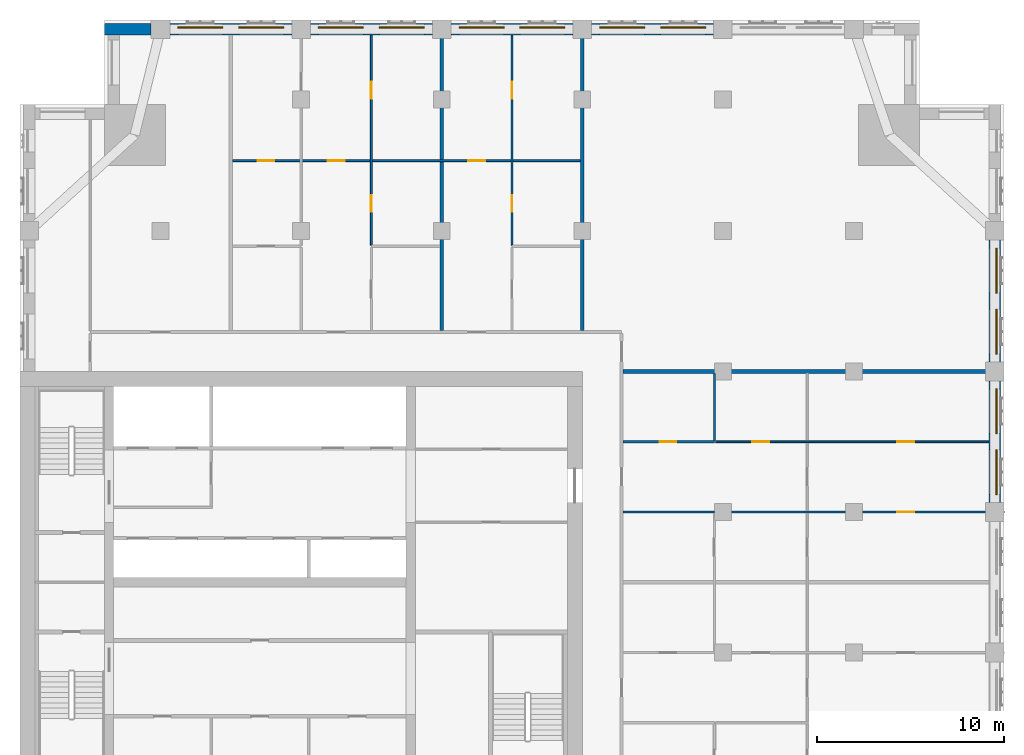
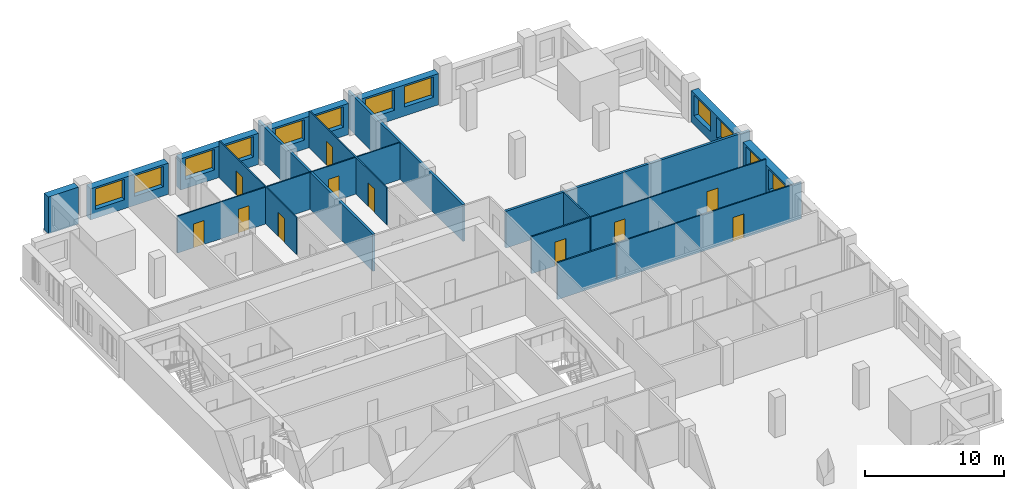
# One storey, part 11 of 14: 18 walls, 12 windows, 11 doors, 23 openings.
"""IFC4 building model written with IfcOpenShell, lengths in metres."""

from ifc_helpers import new_model, si_unit, direction, frame, frame_2d, origin, place, context, subcontext, project, spatial, rectangle, extrude, material, layer, layer_set, type_object, element, fill, save


model = new_model("IFC4")

# Units and contexts
model_context = context("Model", 3, precision=1e-05, world=origin(), true_north=direction((0.0, 1.0)))
body_context = subcontext(model_context, "Body", "Model", "MODEL_VIEW")
ifc_project = project(units=[si_unit("LENGTHUNIT", "METRE"), si_unit("AREAUNIT", "SQUARE_METRE"), si_unit("VOLUMEUNIT", "CUBIC_METRE"), si_unit("PLANEANGLEUNIT", "RADIAN"), si_unit("MASSUNIT", "GRAM", prefix="KILO")], contexts=[model_context])

# Site, building, storey
site_placement = place(None, origin())
site = spatial("IfcSite", under=ifc_project, at=site_placement, CompositionType="ELEMENT")
building_placement = place(site_placement, origin())
building = spatial("IfcBuilding", under=site, at=building_placement, Name="Tamorin Gate", CompositionType="ELEMENT")
storey_placement = place(building_placement, frame((0.0, 0.0, 179.199951171875)))
storey = spatial("IfcBuildingStorey", under=building, at=storey_placement, Name="L43", CompositionType="ELEMENT", Elevation=179.199951171875)

# Wall, openings, windows
ifc_material_1 = material(Name="Precast concrete C40/50", Category="concrete")
ifc_layer_1 = layer(ifc_material_1, 0.60009765625)
ifc_layer_set_1 = layer_set([ifc_layer_1], Name="Precast concrete C40/50")
wall_type_1 = type_object("IfcWallType", Name="Board-marked concrete facade panel 600", PredefinedType="SOLIDWALL", material=ifc_layer_set_1)
wall_1_placement = place(storey_placement, frame((82.0, 75.5, 0.0), z_axis=(0.0, 0.0, 1.0), x_axis=(0.0, 1.0, 0.0)))
wall_1 = element("IfcWall", 1, at=wall_1_placement, inside=storey, type_object=wall_type_1, Name="Facade panel", PredefinedType="SOLIDWALL", context=body_context, shape_type="SweptSolid", body=[
    extrude(rectangle(XDim=6.5, YDim=0.60009765625, at=frame_2d((3.25, 0.0))), origin(), (0.0, 0.0, 1.0), 2.75),
])
opening_1_placement = place(wall_1_placement, frame((0.425048828125, 0.0, 0.800048828125)))
opening_1 = element("IfcOpeningElement", 2, at=opening_1_placement, cuts=wall_1, Name="Opening WN1", PredefinedType="OPENING", context=body_context, shape_type="SweptSolid", body=[
    extrude(rectangle(XDim=2.39990234375, YDim=1.800048828125, at=frame_2d((1.199951171875, 0.89990234375))), frame((0.0, 0.31005859375, 0.0), z_axis=(0.0, -1.0, 0.0), x_axis=(1.0, 0.0, 0.0)), (0.0, 0.0, 1.0), 0.6201171875),
])
opening_2_placement = place(wall_1_placement, frame((3.675048828125, 0.0, 0.800048828125)))
opening_2 = element("IfcOpeningElement", 3, at=opening_2_placement, cuts=wall_1, Name="Opening WN1", PredefinedType="OPENING", context=body_context, shape_type="SweptSolid", body=[
    extrude(rectangle(XDim=2.39990234375, YDim=1.800048828125, at=frame_2d((1.199951171875, 0.89990234375))), frame((0.0, 0.31005859375, 0.0), z_axis=(0.0, -1.0, 0.0), x_axis=(1.0, 0.0, 0.0)), (0.0, 0.0, 1.0), 0.6201171875),
])
ifc_material_2 = material(Name="Clear glass in aluminium frame", Category="aluminium")
window_type = type_object("IfcWindowType", Name="Deep-set window 2400x1800", PartitioningType="SINGLE_PANEL", PredefinedType="WINDOW", material=ifc_material_2)
window_1_placement = place(opening_1_placement, origin())
window_1 = element("IfcWindow", 4, at=window_1_placement, inside=storey, type_object=window_type, Name="Deep-set window", OverallHeight=1.800048828125, OverallWidth=2.39990234375, PartitioningType="SINGLE_PANEL", PredefinedType="WINDOW", context=body_context, shape_type="SweptSolid", body=[
    extrude(rectangle(XDim=2.39990234375, YDim=1.800048828125, at=frame_2d((1.199951171875, 0.89990234375))), frame((0.0, -0.070068359375, 0.0), z_axis=(0.0, -1.0, 0.0), x_axis=(1.0, 0.0, 0.0)), (0.0, 0.0, 1.0), 0.06005859375),
])
fill(opening_1, window_1)
window_2_placement = place(opening_2_placement, origin())
window_2 = element("IfcWindow", 5, at=window_2_placement, inside=storey, type_object=window_type, Name="Deep-set window", OverallHeight=1.800048828125, OverallWidth=2.39990234375, PartitioningType="SINGLE_PANEL", PredefinedType="WINDOW", context=body_context, shape_type="SweptSolid", body=[
    extrude(rectangle(XDim=2.39990234375, YDim=1.800048828125, at=frame_2d((1.199951171875, 0.89990234375))), frame((0.0, -0.070068359375, 0.0), z_axis=(0.0, -1.0, 0.0), x_axis=(1.0, 0.0, 0.0)), (0.0, 0.0, 1.0), 0.06005859375),
])
fill(opening_2, window_2)

wall_2_placement = place(storey_placement, frame((82.0, 83.0, 0.0), z_axis=(0.0, 0.0, 1.0), x_axis=(0.0, 1.0, 0.0)))
wall_2 = element("IfcWall", 6, at=wall_2_placement, inside=storey, type_object=wall_type_1, Name="Facade panel", PredefinedType="SOLIDWALL", context=body_context, shape_type="SweptSolid", body=[
    extrude(rectangle(XDim=6.5, YDim=0.60009765625, at=frame_2d((3.25, 0.0))), origin(), (0.0, 0.0, 1.0), 2.75),
])
opening_3_placement = place(wall_2_placement, frame((0.425048828125, 0.0, 0.800048828125)))
opening_3 = element("IfcOpeningElement", 7, at=opening_3_placement, cuts=wall_2, Name="Opening WN1", PredefinedType="OPENING", context=body_context, shape_type="SweptSolid", body=[
    extrude(rectangle(XDim=2.39990234375, YDim=1.800048828125, at=frame_2d((1.199951171875, 0.89990234375))), frame((0.0, 0.31005859375, 0.0), z_axis=(0.0, -1.0, 0.0), x_axis=(1.0, 0.0, 0.0)), (0.0, 0.0, 1.0), 0.6201171875),
])
opening_4_placement = place(wall_2_placement, frame((3.675048828125, 0.0, 0.800048828125)))
opening_4 = element("IfcOpeningElement", 8, at=opening_4_placement, cuts=wall_2, Name="Opening WN1", PredefinedType="OPENING", context=body_context, shape_type="SweptSolid", body=[
    extrude(rectangle(XDim=2.39990234375, YDim=1.800048828125, at=frame_2d((1.199951171875, 0.89990234375))), frame((0.0, 0.31005859375, 0.0), z_axis=(0.0, -1.0, 0.0), x_axis=(1.0, 0.0, 0.0)), (0.0, 0.0, 1.0), 0.6201171875),
])
window_3_placement = place(opening_3_placement, origin())
window_3 = element("IfcWindow", 9, at=window_3_placement, inside=storey, type_object=window_type, Name="Deep-set window", OverallHeight=1.800048828125, OverallWidth=2.39990234375, PartitioningType="SINGLE_PANEL", PredefinedType="WINDOW", context=body_context, shape_type="SweptSolid", body=[
    extrude(rectangle(XDim=2.39990234375, YDim=1.800048828125, at=frame_2d((1.199951171875, 0.89990234375))), frame((0.0, -0.070068359375, 0.0), z_axis=(0.0, -1.0, 0.0), x_axis=(1.0, 0.0, 0.0)), (0.0, 0.0, 1.0), 0.06005859375),
])
fill(opening_3, window_3)
window_4_placement = place(opening_4_placement, origin())
window_4 = element("IfcWindow", 10, at=window_4_placement, inside=storey, type_object=window_type, Name="Deep-set window", OverallHeight=1.800048828125, OverallWidth=2.39990234375, PartitioningType="SINGLE_PANEL", PredefinedType="WINDOW", context=body_context, shape_type="SweptSolid", body=[
    extrude(rectangle(XDim=2.39990234375, YDim=1.800048828125, at=frame_2d((1.199951171875, 0.89990234375))), frame((0.0, -0.070068359375, 0.0), z_axis=(0.0, -1.0, 0.0), x_axis=(1.0, 0.0, 0.0)), (0.0, 0.0, 1.0), 0.06005859375),
])
fill(opening_4, window_4)

wall_3_placement = place(storey_placement, frame((67.0, 100.75, 0.0), z_axis=(0.0, 0.0, 1.0), x_axis=(-1.0, 0.0, 0.0)))
wall_3 = element("IfcWall", 11, at=wall_3_placement, inside=storey, type_object=wall_type_1, Name="Facade panel", PredefinedType="SOLIDWALL", context=body_context, shape_type="SweptSolid", body=[
    extrude(rectangle(XDim=6.5, YDim=0.60009765625, at=frame_2d((3.25, 0.0))), origin(), (0.0, 0.0, 1.0), 2.75),
])
opening_5_placement = place(wall_3_placement, frame((3.675048828125, 0.0, 0.800048828125)))
opening_5 = element("IfcOpeningElement", 12, at=opening_5_placement, cuts=wall_3, Name="Opening WN1", PredefinedType="OPENING", context=body_context, shape_type="SweptSolid", body=[
    extrude(rectangle(XDim=2.39990234375, YDim=1.800048828125, at=frame_2d((1.199951171875, 0.89990234375))), frame((0.0, 0.31005859375, 0.0), z_axis=(0.0, -1.0, 0.0), x_axis=(1.0, 0.0, 0.0)), (0.0, 0.0, 1.0), 0.6201171875),
])
opening_6_placement = place(wall_3_placement, frame((0.425048828125, 0.0, 0.800048828125)))
opening_6 = element("IfcOpeningElement", 13, at=opening_6_placement, cuts=wall_3, Name="Opening WN1", PredefinedType="OPENING", context=body_context, shape_type="SweptSolid", body=[
    extrude(rectangle(XDim=2.39990234375, YDim=1.800048828125, at=frame_2d((1.199951171875, 0.89990234375))), frame((0.0, 0.31005859375, 0.0), z_axis=(0.0, -1.0, 0.0), x_axis=(1.0, 0.0, 0.0)), (0.0, 0.0, 1.0), 0.6201171875),
])
window_5_placement = place(opening_5_placement, origin())
window_5 = element("IfcWindow", 14, at=window_5_placement, inside=storey, type_object=window_type, Name="Deep-set window", OverallHeight=1.800048828125, OverallWidth=2.39990234375, PartitioningType="SINGLE_PANEL", PredefinedType="WINDOW", context=body_context, shape_type="SweptSolid", body=[
    extrude(rectangle(XDim=2.39990234375, YDim=1.800048828125, at=frame_2d((1.199951171875, 0.89990234375))), frame((0.0, -0.070068359375, 0.0), z_axis=(0.0, -1.0, 0.0), x_axis=(1.0, 0.0, 0.0)), (0.0, 0.0, 1.0), 0.06005859375),
])
fill(opening_5, window_5)
window_6_placement = place(opening_6_placement, origin())
window_6 = element("IfcWindow", 15, at=window_6_placement, inside=storey, type_object=window_type, Name="Deep-set window", OverallHeight=1.800048828125, OverallWidth=2.39990234375, PartitioningType="SINGLE_PANEL", PredefinedType="WINDOW", context=body_context, shape_type="SweptSolid", body=[
    extrude(rectangle(XDim=2.39990234375, YDim=1.800048828125, at=frame_2d((1.199951171875, 0.89990234375))), frame((0.0, -0.070068359375, 0.0), z_axis=(0.0, -1.0, 0.0), x_axis=(1.0, 0.0, 0.0)), (0.0, 0.0, 1.0), 0.06005859375),
])
fill(opening_6, window_6)

wall_4_placement = place(storey_placement, frame((59.5, 100.75, 0.0), z_axis=(0.0, 0.0, 1.0), x_axis=(-1.0, 0.0, 0.0)))
wall_4 = element("IfcWall", 16, at=wall_4_placement, inside=storey, type_object=wall_type_1, Name="Facade panel", PredefinedType="SOLIDWALL", context=body_context, shape_type="SweptSolid", body=[
    extrude(rectangle(XDim=6.5, YDim=0.60009765625, at=frame_2d((3.25, 0.0))), origin(), (0.0, 0.0, 1.0), 2.75),
])
opening_7_placement = place(wall_4_placement, frame((3.675048828125, 0.0, 0.800048828125)))
opening_7 = element("IfcOpeningElement", 17, at=opening_7_placement, cuts=wall_4, Name="Opening WN1", PredefinedType="OPENING", context=body_context, shape_type="SweptSolid", body=[
    extrude(rectangle(XDim=2.39990234375, YDim=1.800048828125, at=frame_2d((1.199951171875, 0.89990234375))), frame((0.0, 0.31005859375, 0.0), z_axis=(0.0, -1.0, 0.0), x_axis=(1.0, 0.0, 0.0)), (0.0, 0.0, 1.0), 0.6201171875),
])
opening_8_placement = place(wall_4_placement, frame((0.425048828125, 0.0, 0.800048828125)))
opening_8 = element("IfcOpeningElement", 18, at=opening_8_placement, cuts=wall_4, Name="Opening WN1", PredefinedType="OPENING", context=body_context, shape_type="SweptSolid", body=[
    extrude(rectangle(XDim=2.39990234375, YDim=1.800048828125, at=frame_2d((1.199951171875, 0.89990234375))), frame((0.0, 0.31005859375, 0.0), z_axis=(0.0, -1.0, 0.0), x_axis=(1.0, 0.0, 0.0)), (0.0, 0.0, 1.0), 0.6201171875),
])
window_7_placement = place(opening_7_placement, origin())
window_7 = element("IfcWindow", 19, at=window_7_placement, inside=storey, type_object=window_type, Name="Deep-set window", OverallHeight=1.800048828125, OverallWidth=2.39990234375, PartitioningType="SINGLE_PANEL", PredefinedType="WINDOW", context=body_context, shape_type="SweptSolid", body=[
    extrude(rectangle(XDim=2.39990234375, YDim=1.800048828125, at=frame_2d((1.199951171875, 0.89990234375))), frame((0.0, -0.070068359375, 0.0), z_axis=(0.0, -1.0, 0.0), x_axis=(1.0, 0.0, 0.0)), (0.0, 0.0, 1.0), 0.06005859375),
])
fill(opening_7, window_7)
window_8_placement = place(opening_8_placement, origin())
window_8 = element("IfcWindow", 20, at=window_8_placement, inside=storey, type_object=window_type, Name="Deep-set window", OverallHeight=1.800048828125, OverallWidth=2.39990234375, PartitioningType="SINGLE_PANEL", PredefinedType="WINDOW", context=body_context, shape_type="SweptSolid", body=[
    extrude(rectangle(XDim=2.39990234375, YDim=1.800048828125, at=frame_2d((1.199951171875, 0.89990234375))), frame((0.0, -0.070068359375, 0.0), z_axis=(0.0, -1.0, 0.0), x_axis=(1.0, 0.0, 0.0)), (0.0, 0.0, 1.0), 0.06005859375),
])
fill(opening_8, window_8)

wall_5_placement = place(storey_placement, frame((52.0, 100.75, 0.0), z_axis=(0.0, 0.0, 1.0), x_axis=(-1.0, 0.0, 0.0)))
wall_5 = element("IfcWall", 21, at=wall_5_placement, inside=storey, type_object=wall_type_1, Name="Facade panel", PredefinedType="SOLIDWALL", context=body_context, shape_type="SweptSolid", body=[
    extrude(rectangle(XDim=6.5, YDim=0.60009765625, at=frame_2d((3.25, 0.0))), origin(), (0.0, 0.0, 1.0), 2.75),
])
opening_9_placement = place(wall_5_placement, frame((3.675048828125, 0.0, 0.800048828125)))
opening_9 = element("IfcOpeningElement", 22, at=opening_9_placement, cuts=wall_5, Name="Opening WN1", PredefinedType="OPENING", context=body_context, shape_type="SweptSolid", body=[
    extrude(rectangle(XDim=2.39990234375, YDim=1.800048828125, at=frame_2d((1.199951171875, 0.89990234375))), frame((0.0, 0.31005859375, 0.0), z_axis=(0.0, -1.0, 0.0), x_axis=(1.0, 0.0, 0.0)), (0.0, 0.0, 1.0), 0.6201171875),
])
opening_10_placement = place(wall_5_placement, frame((0.425048828125, 0.0, 0.800048828125)))
opening_10 = element("IfcOpeningElement", 23, at=opening_10_placement, cuts=wall_5, Name="Opening WN1", PredefinedType="OPENING", context=body_context, shape_type="SweptSolid", body=[
    extrude(rectangle(XDim=2.39990234375, YDim=1.800048828125, at=frame_2d((1.199951171875, 0.89990234375))), frame((0.0, 0.31005859375, 0.0), z_axis=(0.0, -1.0, 0.0), x_axis=(1.0, 0.0, 0.0)), (0.0, 0.0, 1.0), 0.6201171875),
])
window_9_placement = place(opening_9_placement, origin())
window_9 = element("IfcWindow", 24, at=window_9_placement, inside=storey, type_object=window_type, Name="Deep-set window", OverallHeight=1.800048828125, OverallWidth=2.39990234375, PartitioningType="SINGLE_PANEL", PredefinedType="WINDOW", context=body_context, shape_type="SweptSolid", body=[
    extrude(rectangle(XDim=2.39990234375, YDim=1.800048828125, at=frame_2d((1.199951171875, 0.89990234375))), frame((0.0, -0.070068359375, 0.0), z_axis=(0.0, -1.0, 0.0), x_axis=(1.0, 0.0, 0.0)), (0.0, 0.0, 1.0), 0.06005859375),
])
fill(opening_9, window_9)
window_10_placement = place(opening_10_placement, origin())
window_10 = element("IfcWindow", 25, at=window_10_placement, inside=storey, type_object=window_type, Name="Deep-set window", OverallHeight=1.800048828125, OverallWidth=2.39990234375, PartitioningType="SINGLE_PANEL", PredefinedType="WINDOW", context=body_context, shape_type="SweptSolid", body=[
    extrude(rectangle(XDim=2.39990234375, YDim=1.800048828125, at=frame_2d((1.199951171875, 0.89990234375))), frame((0.0, -0.070068359375, 0.0), z_axis=(0.0, -1.0, 0.0), x_axis=(1.0, 0.0, 0.0)), (0.0, 0.0, 1.0), 0.06005859375),
])
fill(opening_10, window_10)

wall_6_placement = place(storey_placement, frame((44.5, 100.75, 0.0), z_axis=(0.0, 0.0, 1.0), x_axis=(-1.0, 0.0, 0.0)))
wall_6 = element("IfcWall", 26, at=wall_6_placement, inside=storey, type_object=wall_type_1, Name="Facade panel", PredefinedType="SOLIDWALL", context=body_context, shape_type="SweptSolid", body=[
    extrude(rectangle(XDim=6.5, YDim=0.60009765625, at=frame_2d((3.25, 0.0))), origin(), (0.0, 0.0, 1.0), 2.75),
])
opening_11_placement = place(wall_6_placement, frame((3.675048828125, 0.0, 0.800048828125)))
opening_11 = element("IfcOpeningElement", 27, at=opening_11_placement, cuts=wall_6, Name="Opening WN1", PredefinedType="OPENING", context=body_context, shape_type="SweptSolid", body=[
    extrude(rectangle(XDim=2.39990234375, YDim=1.800048828125, at=frame_2d((1.199951171875, 0.89990234375))), frame((0.0, 0.31005859375, 0.0), z_axis=(0.0, -1.0, 0.0), x_axis=(1.0, 0.0, 0.0)), (0.0, 0.0, 1.0), 0.6201171875),
])
opening_12_placement = place(wall_6_placement, frame((0.425048828125, 0.0, 0.800048828125)))
opening_12 = element("IfcOpeningElement", 28, at=opening_12_placement, cuts=wall_6, Name="Opening WN1", PredefinedType="OPENING", context=body_context, shape_type="SweptSolid", body=[
    extrude(rectangle(XDim=2.39990234375, YDim=1.800048828125, at=frame_2d((1.199951171875, 0.89990234375))), frame((0.0, 0.31005859375, 0.0), z_axis=(0.0, -1.0, 0.0), x_axis=(1.0, 0.0, 0.0)), (0.0, 0.0, 1.0), 0.6201171875),
])
window_11_placement = place(opening_11_placement, origin())
window_11 = element("IfcWindow", 29, at=window_11_placement, inside=storey, type_object=window_type, Name="Deep-set window", OverallHeight=1.800048828125, OverallWidth=2.39990234375, PartitioningType="SINGLE_PANEL", PredefinedType="WINDOW", context=body_context, shape_type="SweptSolid", body=[
    extrude(rectangle(XDim=2.39990234375, YDim=1.800048828125, at=frame_2d((1.199951171875, 0.89990234375))), frame((0.0, -0.070068359375, 0.0), z_axis=(0.0, -1.0, 0.0), x_axis=(1.0, 0.0, 0.0)), (0.0, 0.0, 1.0), 0.06005859375),
])
fill(opening_11, window_11)
window_12_placement = place(opening_12_placement, origin())
window_12 = element("IfcWindow", 30, at=window_12_placement, inside=storey, type_object=window_type, Name="Deep-set window", OverallHeight=1.800048828125, OverallWidth=2.39990234375, PartitioningType="SINGLE_PANEL", PredefinedType="WINDOW", context=body_context, shape_type="SweptSolid", body=[
    extrude(rectangle(XDim=2.39990234375, YDim=1.800048828125, at=frame_2d((1.199951171875, 0.89990234375))), frame((0.0, -0.070068359375, 0.0), z_axis=(0.0, -1.0, 0.0), x_axis=(1.0, 0.0, 0.0)), (0.0, 0.0, 1.0), 0.06005859375),
])
fill(opening_12, window_12)

# Walls
wall_7_placement = place(storey_placement, frame((37.0, 100.75, 0.0), z_axis=(0.0, 0.0, 1.0), x_axis=(-1.0, 0.0, 0.0)))
element("IfcWall", 31, at=wall_7_placement, inside=storey, type_object=wall_type_1, Name="Facade panel", PredefinedType="SOLIDWALL", context=body_context, shape_type="SweptSolid", body=[
    extrude(rectangle(XDim=2.5, YDim=0.60009765625, at=frame_2d((1.25, 0.0))), origin(), (0.0, 0.0, 1.0), 3.25),
])
ifc_material_3 = material(Name="Gypsum board partition")
ifc_layer_2 = layer(ifc_material_3, 0.199951171875)
ifc_layer_set_2 = layer_set([ifc_layer_2], Name="Demising wall 200")
wall_type_2 = type_object("IfcWallType", Name="Demising wall 200", PredefinedType="PARTITIONING", material=ifc_layer_set_2)
wall_8_placement = place(storey_placement, frame((62.175048828125, 82.5, 0.0), z_axis=(0.0, 0.0, 1.0), x_axis=(1.0, 0.0, 0.0)))
element("IfcWall", 32, at=wall_8_placement, inside=storey, type_object=wall_type_2, Name="Demising wall 200", PredefinedType="PARTITIONING", context=body_context, shape_type="SweptSolid", body=[
    extrude(rectangle(XDim=20.324951171875, YDim=0.199951171875, at=frame_2d((10.16259765625, 0.0))), origin(), (0.0, 0.0, 1.0), 3.25),
])
for number, where, z_axis, x_axis, name in (
    (33, (52.5, 84.675048828125, 0.0), (0.0, 0.0, 1.0), (0.0, 1.0, 0.0), "Demising wall 200"),
    (34, (60.0, 84.675048828125, 0.0), (0.0, 0.0, 1.0), (0.0, 1.0, 0.0), "Demising wall 200"),
):
    element("IfcWall", number, at=place(storey_placement, frame(where, z_axis=z_axis, x_axis=x_axis)), inside=storey, type_object=wall_type_2, Name=name, PredefinedType="PARTITIONING", context=body_context, shape_type="SweptSolid", body=[
        extrude(rectangle(XDim=16.574951171875, YDim=0.199951171875, at=frame_2d((8.28759765625, 0.0))), origin(), (0.0, 0.0, 1.0), 3.25),
    ])

# Wall, opening, door
ifc_layer_3 = layer(ifc_material_3, 0.10009765625)
ifc_layer_set_3 = layer_set([ifc_layer_3], Name="Room partition 100")
wall_type_3 = type_object("IfcWallType", Name="Room partition 100", PredefinedType="PARTITIONING", material=ifc_layer_set_3)
wall_9_placement = place(storey_placement, frame((67.112548828125, 75.0, 0.0), z_axis=(0.0, 0.0, 1.0), x_axis=(1.0, 0.0, 0.0)))
wall_9 = element("IfcWall", 35, at=wall_9_placement, inside=storey, type_object=wall_type_3, Name="Room partition 100", PredefinedType="PARTITIONING", context=body_context, shape_type="SweptSolid", body=[
    extrude(rectangle(XDim=15.387451171875, YDim=0.10009765625, at=frame_2d((7.69384765625, 0.0))), origin(), (0.0, 0.0, 1.0), 3.25),
])
opening_13_placement = place(wall_9_placement, frame((9.6875, 0.0, 0.0)))
opening_13 = element("IfcOpeningElement", 36, at=opening_13_placement, cuts=wall_9, Name="Opening DR1051", PredefinedType="OPENING", context=body_context, shape_type="SweptSolid", body=[
    extrude(rectangle(XDim=0.89990234375, YDim=2.10009765625, at=frame_2d((0.449951171875, 1.050048828125))), frame((0.0, 0.06005859375, 0.0), z_axis=(0.0, -1.0, 0.0), x_axis=(1.0, 0.0, 0.0)), (0.0, 0.0, 1.0), 0.1201171875),
])
ifc_material_4 = material(Name="Timber door leaf", Category="wood")
door_type = type_object("IfcDoorType", Name="Door 900 x 2100", OperationType="NOTDEFINED", PredefinedType="DOOR", material=ifc_material_4)
door_1_placement = place(opening_13_placement, origin())
door_1 = element("IfcDoor", 37, at=door_1_placement, inside=storey, type_object=door_type, Name="Door DR1051", OperationType="SINGLE_SWING_RIGHT", OverallHeight=2.10009765625, OverallWidth=0.89990234375, PredefinedType="DOOR", context=body_context, shape_type="SweptSolid", body=[
    extrude(rectangle(XDim=0.89990234375, YDim=2.10009765625, at=frame_2d((0.449951171875, 1.050048828125))), frame((0.0, 0.02490234375, 0.0), z_axis=(0.0, -1.0, 0.0), x_axis=(1.0, 0.0, 0.0)), (0.0, 0.0, 1.0), 0.050048828125),
])
fill(opening_13, door_1)

# Wall, openings, doors
wall_10_placement = place(storey_placement, frame((67.112548828125, 78.75, 0.0), z_axis=(0.0, 0.0, 1.0), x_axis=(1.0, 0.0, 0.0)))
wall_10 = element("IfcWall", 38, at=wall_10_placement, inside=storey, type_object=wall_type_3, Name="Room partition 100", PredefinedType="PARTITIONING", context=body_context, shape_type="SweptSolid", body=[
    extrude(rectangle(XDim=14.577392578125, YDim=0.10009765625, at=frame_2d((7.28857421875, 0.0))), origin(), (0.0, 0.0, 1.0), 3.25),
])
opening_14_placement = place(wall_10_placement, frame((1.96240234375, 0.0, 0.0)))
opening_14 = element("IfcOpeningElement", 39, at=opening_14_placement, cuts=wall_10, Name="Opening DR1049", PredefinedType="OPENING", context=body_context, shape_type="SweptSolid", body=[
    extrude(rectangle(XDim=0.89990234375, YDim=2.10009765625, at=frame_2d((0.449951171875, 1.050048828125))), frame((0.0, 0.06005859375, 0.0), z_axis=(0.0, -1.0, 0.0), x_axis=(1.0, 0.0, 0.0)), (0.0, 0.0, 1.0), 0.1201171875),
])
opening_15_placement = place(wall_10_placement, frame((9.6875, 0.0, 0.0)))
opening_15 = element("IfcOpeningElement", 40, at=opening_15_placement, cuts=wall_10, Name="Opening DR1052", PredefinedType="OPENING", context=body_context, shape_type="SweptSolid", body=[
    extrude(rectangle(XDim=0.89990234375, YDim=2.10009765625, at=frame_2d((0.449951171875, 1.050048828125))), frame((0.0, 0.06005859375, 0.0), z_axis=(0.0, -1.0, 0.0), x_axis=(1.0, 0.0, 0.0)), (0.0, 0.0, 1.0), 0.1201171875),
])
door_2_placement = place(opening_14_placement, origin())
door_2 = element("IfcDoor", 41, at=door_2_placement, inside=storey, type_object=door_type, Name="Door DR1049", OperationType="SINGLE_SWING_LEFT", OverallHeight=2.10009765625, OverallWidth=0.89990234375, PredefinedType="DOOR", context=body_context, shape_type="SweptSolid", body=[
    extrude(rectangle(XDim=0.89990234375, YDim=2.10009765625, at=frame_2d((0.449951171875, 1.050048828125))), frame((0.0, 0.02490234375, 0.0), z_axis=(0.0, -1.0, 0.0), x_axis=(1.0, 0.0, 0.0)), (0.0, 0.0, 1.0), 0.050048828125),
])
fill(opening_14, door_2)
door_3_placement = place(opening_15_placement, origin())
door_3 = element("IfcDoor", 42, at=door_3_placement, inside=storey, type_object=door_type, Name="Door DR1052", OperationType="SINGLE_SWING_RIGHT", OverallHeight=2.10009765625, OverallWidth=0.89990234375, PredefinedType="DOOR", context=body_context, shape_type="SweptSolid", body=[
    extrude(rectangle(XDim=0.89990234375, YDim=2.10009765625, at=frame_2d((0.449951171875, 1.050048828125))), frame((0.0, 0.02490234375, 0.0), z_axis=(0.0, -1.0, 0.0), x_axis=(1.0, 0.0, 0.0)), (0.0, 0.0, 1.0), 0.050048828125),
])
fill(opening_15, door_3)

wall_11_placement = place(storey_placement, frame((41.35009765625, 93.75, 0.0), z_axis=(0.0, 0.0, 1.0), x_axis=(1.0, 0.0, 0.0)))
wall_11 = element("IfcWall", 43, at=wall_11_placement, inside=storey, type_object=wall_type_3, Name="Room partition 100", PredefinedType="PARTITIONING", context=body_context, shape_type="SweptSolid", body=[
    extrude(rectangle(XDim=18.5498046875, YDim=0.10009765625, at=frame_2d((9.27490234375, 0.0))), origin(), (0.0, 0.0, 1.0), 3.25),
])
opening_16_placement = place(wall_11_placement, frame((1.324951171875, 0.0, 0.0)))
opening_16 = element("IfcOpeningElement", 44, at=opening_16_placement, cuts=wall_11, Name="Opening DR1023", PredefinedType="OPENING", context=body_context, shape_type="SweptSolid", body=[
    extrude(rectangle(XDim=0.89990234375, YDim=2.10009765625, at=frame_2d((0.449951171875, 1.050048828125))), frame((0.0, 0.06005859375, 0.0), z_axis=(0.0, -1.0, 0.0), x_axis=(1.0, 0.0, 0.0)), (0.0, 0.0, 1.0), 0.1201171875),
])
opening_17_placement = place(wall_11_placement, frame((5.074951171875, 0.0, 0.0)))
opening_17 = element("IfcOpeningElement", 45, at=opening_17_placement, cuts=wall_11, Name="Opening DR1026", PredefinedType="OPENING", context=body_context, shape_type="SweptSolid", body=[
    extrude(rectangle(XDim=0.89990234375, YDim=2.10009765625, at=frame_2d((0.449951171875, 1.050048828125))), frame((0.0, 0.06005859375, 0.0), z_axis=(0.0, -1.0, 0.0), x_axis=(1.0, 0.0, 0.0)), (0.0, 0.0, 1.0), 0.1201171875),
])
opening_18_placement = place(wall_11_placement, frame((12.574951171875, 0.0, 0.0)))
opening_18 = element("IfcOpeningElement", 46, at=opening_18_placement, cuts=wall_11, Name="Opening DR1032", PredefinedType="OPENING", context=body_context, shape_type="SweptSolid", body=[
    extrude(rectangle(XDim=0.89990234375, YDim=2.10009765625, at=frame_2d((0.449951171875, 1.050048828125))), frame((0.0, 0.06005859375, 0.0), z_axis=(0.0, -1.0, 0.0), x_axis=(1.0, 0.0, 0.0)), (0.0, 0.0, 1.0), 0.1201171875),
])
door_4_placement = place(opening_16_placement, origin())
door_4 = element("IfcDoor", 47, at=door_4_placement, inside=storey, type_object=door_type, Name="Door DR1023", OperationType="SINGLE_SWING_RIGHT", OverallHeight=2.10009765625, OverallWidth=0.89990234375, PredefinedType="DOOR", context=body_context, shape_type="SweptSolid", body=[
    extrude(rectangle(XDim=0.89990234375, YDim=2.10009765625, at=frame_2d((0.449951171875, 1.050048828125))), frame((0.0, 0.02490234375, 0.0), z_axis=(0.0, -1.0, 0.0), x_axis=(1.0, 0.0, 0.0)), (0.0, 0.0, 1.0), 0.050048828125),
])
fill(opening_16, door_4)
door_5_placement = place(opening_17_placement, origin())
door_5 = element("IfcDoor", 48, at=door_5_placement, inside=storey, type_object=door_type, Name="Door DR1026", OperationType="SINGLE_SWING_RIGHT", OverallHeight=2.10009765625, OverallWidth=0.89990234375, PredefinedType="DOOR", context=body_context, shape_type="SweptSolid", body=[
    extrude(rectangle(XDim=0.89990234375, YDim=2.10009765625, at=frame_2d((0.449951171875, 1.050048828125))), frame((0.0, 0.02490234375, 0.0), z_axis=(0.0, -1.0, 0.0), x_axis=(1.0, 0.0, 0.0)), (0.0, 0.0, 1.0), 0.050048828125),
])
fill(opening_17, door_5)
door_6_placement = place(opening_18_placement, origin())
door_6 = element("IfcDoor", 49, at=door_6_placement, inside=storey, type_object=door_type, Name="Door DR1032", OperationType="SINGLE_SWING_RIGHT", OverallHeight=2.10009765625, OverallWidth=0.89990234375, PredefinedType="DOOR", context=body_context, shape_type="SweptSolid", body=[
    extrude(rectangle(XDim=0.89990234375, YDim=2.10009765625, at=frame_2d((0.449951171875, 1.050048828125))), frame((0.0, 0.02490234375, 0.0), z_axis=(0.0, -1.0, 0.0), x_axis=(1.0, 0.0, 0.0)), (0.0, 0.0, 1.0), 0.050048828125),
])
fill(opening_18, door_6)

wall_12_placement = place(storey_placement, frame((48.75, 89.237548828125, 0.0), z_axis=(0.0, 0.0, 1.0), x_axis=(0.0, 1.0, 0.0)))
wall_12 = element("IfcWall", 50, at=wall_12_placement, inside=storey, type_object=wall_type_3, Name="Room partition 100", PredefinedType="PARTITIONING", context=body_context, shape_type="SweptSolid", body=[
    extrude(rectangle(XDim=11.202392578125, YDim=0.10009765625, at=frame_2d((5.60107421875, 0.0))), origin(), (0.0, 0.0, 1.0), 3.25),
])
opening_19_placement = place(wall_12_placement, frame((1.77490234375, 0.0, 0.0)))
opening_19 = element("IfcOpeningElement", 51, at=opening_19_placement, cuts=wall_12, Name="Opening DR1027", PredefinedType="OPENING", context=body_context, shape_type="SweptSolid", body=[
    extrude(rectangle(XDim=0.89990234375, YDim=2.10009765625, at=frame_2d((0.449951171875, 1.050048828125))), frame((0.0, 0.06005859375, 0.0), z_axis=(0.0, -1.0, 0.0), x_axis=(1.0, 0.0, 0.0)), (0.0, 0.0, 1.0), 0.1201171875),
])
opening_20_placement = place(wall_12_placement, frame((7.8125, 0.0, 0.0)))
opening_20 = element("IfcOpeningElement", 52, at=opening_20_placement, cuts=wall_12, Name="Opening DR1030", PredefinedType="OPENING", context=body_context, shape_type="SweptSolid", body=[
    extrude(rectangle(XDim=0.89990234375, YDim=2.10009765625, at=frame_2d((0.449951171875, 1.050048828125))), frame((0.0, 0.06005859375, 0.0), z_axis=(0.0, -1.0, 0.0), x_axis=(1.0, 0.0, 0.0)), (0.0, 0.0, 1.0), 0.1201171875),
])
door_7_placement = place(opening_19_placement, origin())
door_7 = element("IfcDoor", 53, at=door_7_placement, inside=storey, type_object=door_type, Name="Door DR1027", OperationType="SINGLE_SWING_RIGHT", OverallHeight=2.10009765625, OverallWidth=0.89990234375, PredefinedType="DOOR", context=body_context, shape_type="SweptSolid", body=[
    extrude(rectangle(XDim=0.89990234375, YDim=2.10009765625, at=frame_2d((0.449951171875, 1.050048828125))), frame((0.0, 0.02490234375, 0.0), z_axis=(0.0, -1.0, 0.0), x_axis=(1.0, 0.0, 0.0)), (0.0, 0.0, 1.0), 0.050048828125),
])
fill(opening_19, door_7)
door_8_placement = place(opening_20_placement, origin())
door_8 = element("IfcDoor", 54, at=door_8_placement, inside=storey, type_object=door_type, Name="Door DR1030", OperationType="SINGLE_SWING_LEFT", OverallHeight=2.10009765625, OverallWidth=0.89990234375, PredefinedType="DOOR", context=body_context, shape_type="SweptSolid", body=[
    extrude(rectangle(XDim=0.89990234375, YDim=2.10009765625, at=frame_2d((0.449951171875, 1.050048828125))), frame((0.0, 0.02490234375, 0.0), z_axis=(0.0, -1.0, 0.0), x_axis=(1.0, 0.0, 0.0)), (0.0, 0.0, 1.0), 0.050048828125),
])
fill(opening_20, door_8)

wall_13_placement = place(storey_placement, frame((56.25, 89.237548828125, 0.0), z_axis=(0.0, 0.0, 1.0), x_axis=(0.0, 1.0, 0.0)))
wall_13 = element("IfcWall", 55, at=wall_13_placement, inside=storey, type_object=wall_type_3, Name="Room partition 100", PredefinedType="PARTITIONING", context=body_context, shape_type="SweptSolid", body=[
    extrude(rectangle(XDim=11.202392578125, YDim=0.10009765625, at=frame_2d((5.60107421875, 0.0))), origin(), (0.0, 0.0, 1.0), 3.25),
])
opening_21_placement = place(wall_13_placement, frame((1.77490234375, 0.0, 0.0)))
opening_21 = element("IfcOpeningElement", 56, at=opening_21_placement, cuts=wall_13, Name="Opening DR1033", PredefinedType="OPENING", context=body_context, shape_type="SweptSolid", body=[
    extrude(rectangle(XDim=0.89990234375, YDim=2.10009765625, at=frame_2d((0.449951171875, 1.050048828125))), frame((0.0, 0.06005859375, 0.0), z_axis=(0.0, -1.0, 0.0), x_axis=(1.0, 0.0, 0.0)), (0.0, 0.0, 1.0), 0.1201171875),
])
opening_22_placement = place(wall_13_placement, frame((7.8125, 0.0, 0.0)))
opening_22 = element("IfcOpeningElement", 57, at=opening_22_placement, cuts=wall_13, Name="Opening DR1035", PredefinedType="OPENING", context=body_context, shape_type="SweptSolid", body=[
    extrude(rectangle(XDim=0.89990234375, YDim=2.10009765625, at=frame_2d((0.449951171875, 1.050048828125))), frame((0.0, 0.06005859375, 0.0), z_axis=(0.0, -1.0, 0.0), x_axis=(1.0, 0.0, 0.0)), (0.0, 0.0, 1.0), 0.1201171875),
])
door_9_placement = place(opening_21_placement, origin())
door_9 = element("IfcDoor", 58, at=door_9_placement, inside=storey, type_object=door_type, Name="Door DR1033", OperationType="SINGLE_SWING_RIGHT", OverallHeight=2.10009765625, OverallWidth=0.89990234375, PredefinedType="DOOR", context=body_context, shape_type="SweptSolid", body=[
    extrude(rectangle(XDim=0.89990234375, YDim=2.10009765625, at=frame_2d((0.449951171875, 1.050048828125))), frame((0.0, 0.02490234375, 0.0), z_axis=(0.0, -1.0, 0.0), x_axis=(1.0, 0.0, 0.0)), (0.0, 0.0, 1.0), 0.050048828125),
])
fill(opening_21, door_9)
door_10_placement = place(opening_22_placement, origin())
door_10 = element("IfcDoor", 59, at=door_10_placement, inside=storey, type_object=door_type, Name="Door DR1035", OperationType="SINGLE_SWING_LEFT", OverallHeight=2.10009765625, OverallWidth=0.89990234375, PredefinedType="DOOR", context=body_context, shape_type="SweptSolid", body=[
    extrude(rectangle(XDim=0.89990234375, YDim=2.10009765625, at=frame_2d((0.449951171875, 1.050048828125))), frame((0.0, 0.02490234375, 0.0), z_axis=(0.0, -1.0, 0.0), x_axis=(1.0, 0.0, 0.0)), (0.0, 0.0, 1.0), 0.050048828125),
])
fill(opening_22, door_10)

# Wall
ifc_layer_4 = layer(ifc_material_3, 0.125)
ifc_layer_set_4 = layer_set([ifc_layer_4], Name="Wet wall 125")
wall_type_4 = type_object("IfcWallType", Name="Wet wall 125", PredefinedType="PARTITIONING", material=ifc_layer_set_4)
wall_14_placement = place(storey_placement, frame((62.175048828125, 75.0, 0.0), z_axis=(0.0, 0.0, 1.0), x_axis=(1.0, 0.0, 0.0)))
element("IfcWall", 60, at=wall_14_placement, inside=storey, type_object=wall_type_4, Name="Wet wall 125", PredefinedType="PARTITIONING", context=body_context, shape_type="SweptSolid", body=[
    extrude(rectangle(XDim=4.875, YDim=0.125, at=frame_2d((2.4375, 0.0))), origin(), (0.0, 0.0, 1.0), 3.25),
])

# Wall, opening, door
wall_15_placement = place(storey_placement, frame((62.175048828125, 78.75, 0.0), z_axis=(0.0, 0.0, 1.0), x_axis=(1.0, 0.0, 0.0)))
wall_15 = element("IfcWall", 61, at=wall_15_placement, inside=storey, type_object=wall_type_4, Name="Wet wall 125", PredefinedType="PARTITIONING", context=body_context, shape_type="SweptSolid", body=[
    extrude(rectangle(XDim=4.875, YDim=0.125, at=frame_2d((2.4375, 0.0))), origin(), (0.0, 0.0, 1.0), 3.25),
])
opening_23_placement = place(wall_15_placement, frame((1.949951171875, 0.0, 0.0)))
opening_23 = element("IfcOpeningElement", 62, at=opening_23_placement, cuts=wall_15, Name="Opening DR1050", PredefinedType="OPENING", context=body_context, shape_type="SweptSolid", body=[
    extrude(rectangle(XDim=0.89990234375, YDim=2.10009765625, at=frame_2d((0.449951171875, 1.050048828125))), frame((0.0, 0.072509765625, 0.0), z_axis=(0.0, -1.0, 0.0), x_axis=(1.0, 0.0, 0.0)), (0.0, 0.0, 1.0), 0.14501953125),
])
door_11_placement = place(opening_23_placement, origin())
door_11 = element("IfcDoor", 63, at=door_11_placement, inside=storey, type_object=door_type, Name="Door DR1050", OperationType="SINGLE_SWING_RIGHT", OverallHeight=2.10009765625, OverallWidth=0.89990234375, PredefinedType="DOOR", context=body_context, shape_type="SweptSolid", body=[
    extrude(rectangle(XDim=0.89990234375, YDim=2.10009765625, at=frame_2d((0.449951171875, 1.050048828125))), frame((0.0, 0.02490234375, 0.0), z_axis=(0.0, -1.0, 0.0), x_axis=(1.0, 0.0, 0.0)), (0.0, 0.0, 1.0), 0.050048828125),
])
fill(opening_23, door_11)

# Wall
wall_16_placement = place(storey_placement, frame((67.050048828125, 78.8125, 0.0), z_axis=(0.0, 0.0, 1.0), x_axis=(0.0, 1.0, 0.0)))
element("IfcWall", 64, at=wall_16_placement, inside=storey, type_object=wall_type_4, Name="Wet wall 125", PredefinedType="PARTITIONING", context=body_context, shape_type="SweptSolid", body=[
    extrude(rectangle(XDim=3.58740234375, YDim=0.125, at=frame_2d((1.793701171875, 0.0))), origin(), (0.0, 0.0, 1.0), 3.25),
])

save(model, "model.ifc")
